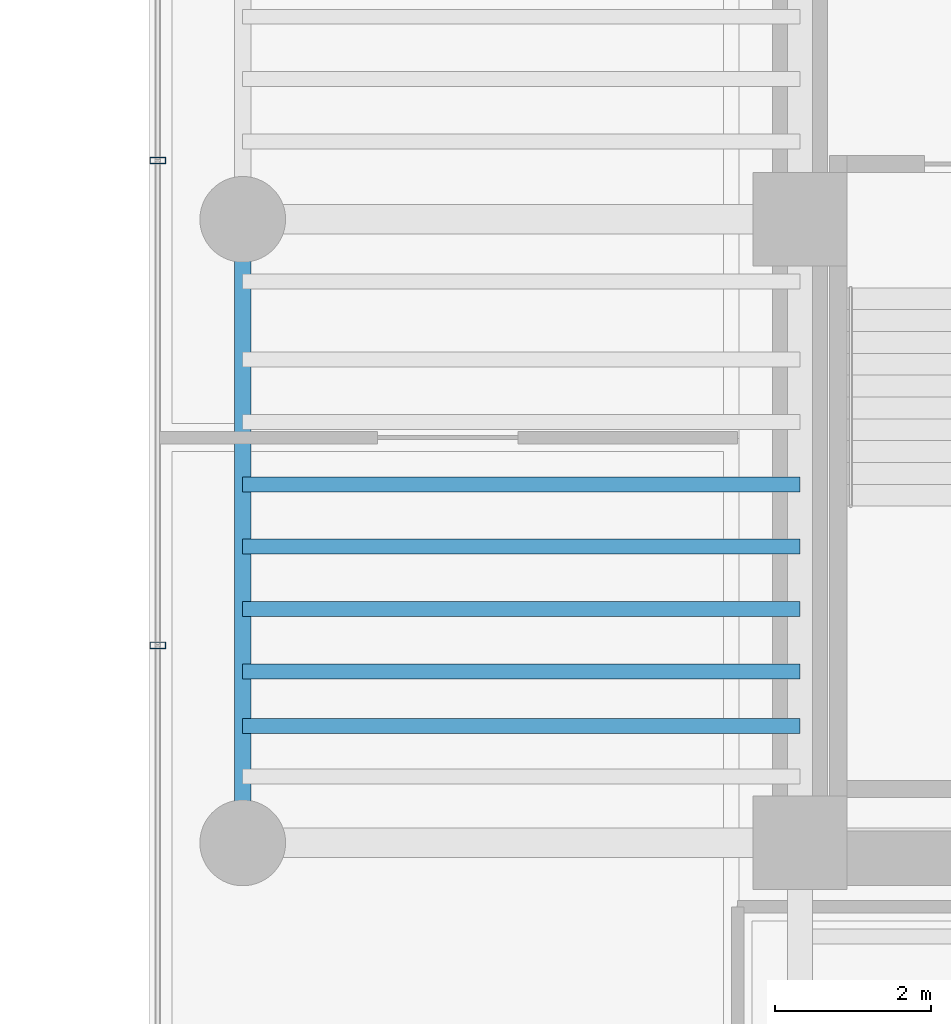
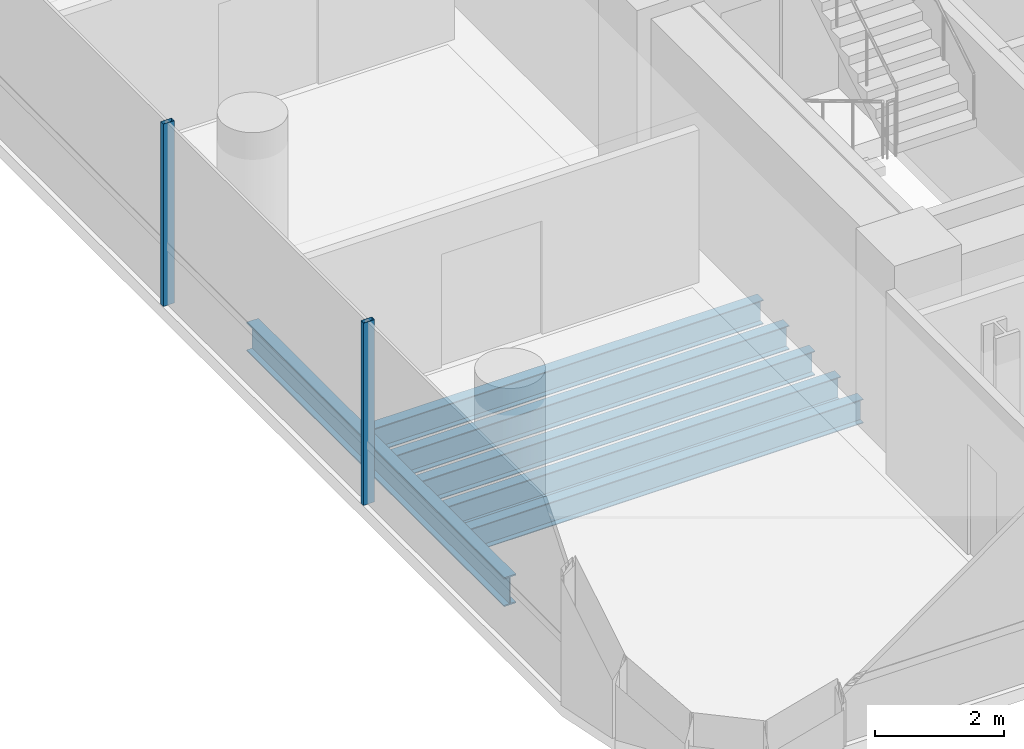
# One storey, part 4 of 34: 6 beams, 2 members, 1 element without a shape of its own.
"""IFC4 building model written with IfcOpenShell, lengths in metres."""

from ifc_helpers import new_model, si_unit, direction, frame, origin, origin_2d, place, context, subcontext, project, spatial, hollow_rectangle, i_section, extrude, source, transform, mapped, material, material_profile, profile_set, type_object, element, aggregate, save


model = new_model("IFC4")

# Units and contexts
model_context = context("Model", 3, precision=1e-05, world=origin(), true_north=direction((0.0, 1.0)))
body_context = subcontext(model_context, "Body", "Model", "MODEL_VIEW")
ifc_project = project(units=[si_unit("LENGTHUNIT", "METRE"), si_unit("AREAUNIT", "SQUARE_METRE"), si_unit("VOLUMEUNIT", "CUBIC_METRE"), si_unit("PLANEANGLEUNIT", "RADIAN"), si_unit("MASSUNIT", "GRAM", prefix="KILO")], contexts=[model_context])

# Site, building, storey
site_placement = place(None, origin())
site = spatial("IfcSite", under=ifc_project, at=site_placement, CompositionType="ELEMENT")
building_placement = place(site_placement, origin())
building = spatial("IfcBuilding", under=site, at=building_placement, Name="Valdorenza Pilgrim Sanctuary Tower", CompositionType="ELEMENT")
storey_placement = place(building_placement, frame((0.0, 0.0, 120.5)))
storey = spatial("IfcBuildingStorey", under=building, at=storey_placement, Name="L30", CompositionType="ELEMENT", Elevation=120.5)

# Beams
ifc_material_1 = material(Name="Steel ASTM A992 Grade 50", Category="steel")
ifc_material_profile_1 = material_profile(ifc_material_1, i_section(OverallWidth=0.214111328125, OverallDepth=0.549072265625, WebThickness=0.0146484375, FlangeThickness=0.023681640625, at=origin_2d()), Name="W21X93")
ifc_profile_set_1 = profile_set([ifc_material_profile_1], Name="Steel ASTM A992 Grade 50")
beam_type_1 = type_object("IfcBeamType", Name="STR-BM-SPN-W21A", PredefinedType="SPANDREL", material=ifc_profile_set_1)
shared_shape_1 = source(origin(), body_context, "Body", "SweptSolid", [
    extrude(i_section(OverallWidth=0.214111328125, OverallDepth=0.549072265625, WebThickness=0.0146484375, FlangeThickness=0.023681640625, at=origin_2d()), origin(), (0.0, 0.0, 1.0), 8.0),
])
beam_placement = place(storey_placement, frame((-29.800048828125, -10.60009765625, -0.514404296875), z_axis=(0.0, 1.0, 0.0), x_axis=(-1.0, 0.0, 0.0)))
element("IfcBeam", 1, at=beam_placement, inside=storey, type_object=beam_type_1, Name="L30 Spandrel Beam WA-W-S1M0", PredefinedType="SPANDREL", context=body_context, shape_type="MappedRepresentation", body=[
    mapped(shared_shape_1, transform((0.0, 0.0, 0.0), x_axis=(1.0, 0.0, 0.0), y_axis=(0.0, 1.0, 0.0), z_axis=(0.0, 0.0, 1.0), scale=1.0)),
])
ifc_material_profile_2 = material_profile(ifc_material_1, i_section(OverallWidth=0.19091796875, OverallDepth=0.45703125, WebThickness=0.009033203125, FlangeThickness=0.014404296875, at=origin_2d()), Name="W18X50")
ifc_profile_set_2 = profile_set([ifc_material_profile_2], Name="Steel ASTM A992 Grade 50")
beam_type_2 = type_object("IfcBeamType", Name="STR-BM-JST-W18B", PredefinedType="JOIST", material=ifc_profile_set_2)
shared_shape_2 = source(origin(), body_context, "Body", "SweptSolid", [
    extrude(i_section(OverallWidth=0.19091796875, OverallDepth=0.45703125, WebThickness=0.009033203125, FlangeThickness=0.014404296875, at=origin_2d()), origin(), (0.0, 0.0, 1.0), 7.150146484375),
])
for number, where, z_axis, x_axis, name in (
    (2, (-29.800048828125, -9.10009765625, -0.468505859375), (1.0, 0.0, 0.0), (0.0, 1.0, 0.0), "L30 Composite Floor Joist JST-WA-2"),
    (3, (-29.800048828125, -8.39990234375, -0.468505859375), (1.0, 0.0, 0.0), (0.0, 1.0, 0.0), "L30 Composite Floor Joist JST-WA-3"),
    (4, (-29.800048828125, -7.60009765625, -0.468505859375), (1.0, 0.0, 0.0), (0.0, 1.0, 0.0), "L30 Composite Floor Joist JST-WA-4"),
    (5, (-29.800048828125, -6.800048828125, -0.468505859375), (1.0, 0.0, 0.0), (0.0, 1.0, 0.0), "L30 Composite Floor Joist JST-WA-5"),
    (6, (-29.800048828125, -6.0, -0.468505859375), (1.0, 0.0, 0.0), (0.0, 1.0, 0.0), "L30 Composite Floor Joist JST-WA-6"),
):
    element("IfcBeam", number, at=place(storey_placement, frame(where, z_axis=z_axis, x_axis=x_axis)), inside=storey, type_object=beam_type_2, Name=name, PredefinedType="JOIST", context=body_context, shape_type="MappedRepresentation", body=[
        mapped(shared_shape_2, transform((0.0, 0.0, 0.0), x_axis=(1.0, 0.0, 0.0), y_axis=(0.0, 1.0, 0.0), z_axis=(0.0, 0.0, 1.0), scale=1.0)),
    ])

# Curtain wall, members
ifc_material_2 = material(Name="Curtain-wall IGU glazing", Category="glass")
curtain_wall_type = type_object("IfcCurtainWallType", Name="CW-SYS-02", PredefinedType="NOTDEFINED", material=ifc_material_2)
curtain_wall_placement = place(storey_placement, origin())
curtain_wall = element("IfcCurtainWall", 7, at=curtain_wall_placement, inside=storey, type_object=curtain_wall_type, Name="L30 Curtain Wall CW-L30-1-1S1", PredefinedType="NOTDEFINED")
ifc_material_3 = material(Name="Anodised aluminium AW-6060", Category="aluminium")
ifc_material_profile_3 = material_profile(ifc_material_3, hollow_rectangle(XDim=0.0849609375, YDim=0.199951171875, WallThickness=0.0048828125, at=origin_2d()), Name="ALU-M 200x85x5")
ifc_profile_set_3 = profile_set([ifc_material_profile_3], Name="Anodised aluminium AW-6060")
member_type = type_object("IfcMemberType", Name="CW-MUL-02", PredefinedType="MULLION", material=ifc_profile_set_3)
shared_shape_3 = source(origin(), body_context, "Body", "SweptSolid", [
    extrude(hollow_rectangle(XDim=0.0849609375, YDim=0.199951171875, WallThickness=0.0048828125, at=origin_2d()), origin(), (0.0, 0.0, 1.0), 3.4599609375),
])
member_1_placement = place(storey_placement, frame((-30.889892578125, -8.06689453125, 0.0), z_axis=(0.0, 0.0, 1.0), x_axis=(0.0, 1.0, 0.0)))
member_1 = element("IfcMember", 8, at=member_1_placement, type_object=member_type, Name="CW-L30-1-1S1 Mullion 2", PredefinedType="MULLION", context=body_context, shape_type="MappedRepresentation", body=[
    mapped(shared_shape_3, transform((0.0, 0.0, 0.0), x_axis=(1.0, 0.0, 0.0), y_axis=(0.0, 1.0, 0.0), z_axis=(0.0, 0.0, 1.0), scale=1.0)),
])
member_2_placement = place(storey_placement, frame((-30.889892578125, -1.844482421875, 0.0), z_axis=(0.0, 0.0, 1.0), x_axis=(0.0, 1.0, 0.0)))
member_2 = element("IfcMember", 9, at=member_2_placement, type_object=member_type, Name="CW-L30-1-1S1 Mullion 3", PredefinedType="MULLION", context=body_context, shape_type="MappedRepresentation", body=[
    mapped(shared_shape_3, transform((0.0, 0.0, 0.0), x_axis=(1.0, 0.0, 0.0), y_axis=(0.0, 1.0, 0.0), z_axis=(0.0, 0.0, 1.0), scale=1.0)),
])
aggregate(curtain_wall, [member_1, member_2])

save(model, "model.ifc")
